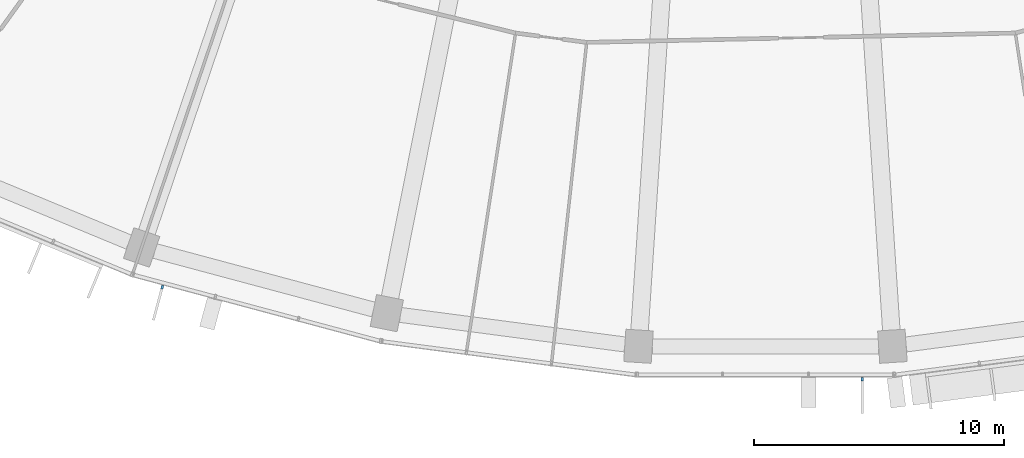
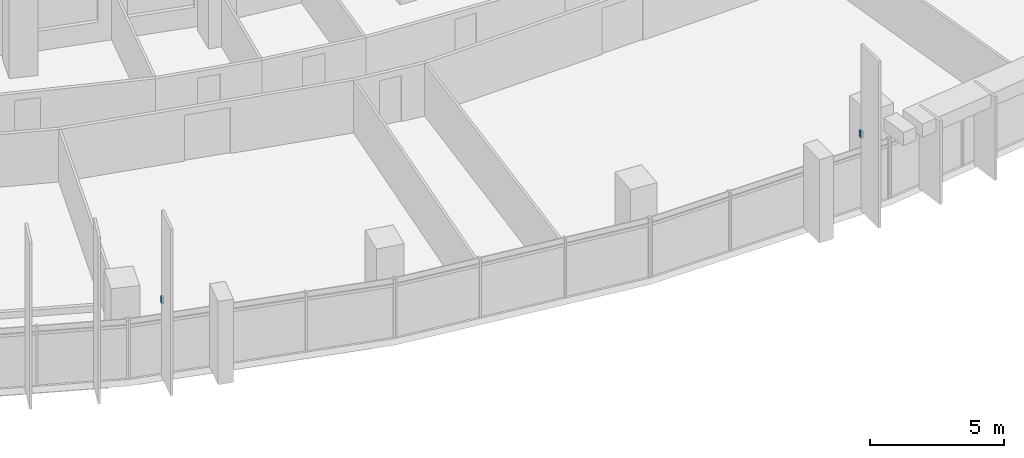
# One storey, part 9 of 27: 2 discrete accessories.
"""IFC4 building model written with IfcOpenShell, lengths in metres."""

from ifc_helpers import new_model, si_unit, direction, frame, origin, origin_2d, place, context, subcontext, project, spatial, rectangle, extrude, material, type_object, element, save


model = new_model("IFC4")

# Units and contexts
model_context = context("Model", 3, precision=1e-05, world=origin(), true_north=direction((0.0, 1.0)))
body_context = subcontext(model_context, "Body", "Model", "MODEL_VIEW")
ifc_project = project(units=[si_unit("LENGTHUNIT", "METRE"), si_unit("AREAUNIT", "SQUARE_METRE"), si_unit("VOLUMEUNIT", "CUBIC_METRE"), si_unit("PLANEANGLEUNIT", "RADIAN"), si_unit("MASSUNIT", "GRAM", prefix="KILO")], contexts=[model_context])

# Site, building, storey
site_placement = place(None, origin())
site = spatial("IfcSite", under=ifc_project, at=site_placement, CompositionType="ELEMENT")
building_placement = place(site_placement, origin())
building = spatial("IfcBuilding", under=site, at=building_placement, Name="Qamariyya Broadcast Tower", CompositionType="ELEMENT")
storey_placement = place(building_placement, frame((0.0, 0.0, 179.699951171875)))
storey = spatial("IfcBuildingStorey", under=building, at=storey_placement, Name="L42", CompositionType="ELEMENT", Elevation=179.699951171875)

# Discrete accessories
ifc_material = material(Name="Stainless steel 316", Category="steel")
discrete_accessory_type = type_object("IfcDiscreteAccessoryType", Name="Slab edge fixing angle, stainless steel", PredefinedType="BRACKET", material=ifc_material)
for number, where, z_axis, x_axis, name in (
    (1, (-24.16552734375, -75.21435546875, 3.2998046875), (0.0, 0.0, 1.0), (0.965925826289, -0.258819045103, 0.0), "e-br-L42-05-0"),
    (2, (3.875244140625, -78.90576171875, 3.2998046875), (0.0, 0.0, 1.0), (1.0, 0.0, 0.0), "e-br-L42-07-0"),
):
    element("IfcDiscreteAccessory", number, at=place(storey_placement, frame(where, z_axis=z_axis, x_axis=x_axis)), inside=storey, type_object=discrete_accessory_type, Name=name, PredefinedType="BRACKET", context=body_context, shape_type="SweptSolid", body=[
        extrude(rectangle(XDim=0.10009765625, YDim=0.14990234375, at=origin_2d()), origin(), (0.0, 0.0, 1.0), 0.300048828125),
    ])

save(model, "model.ifc")
